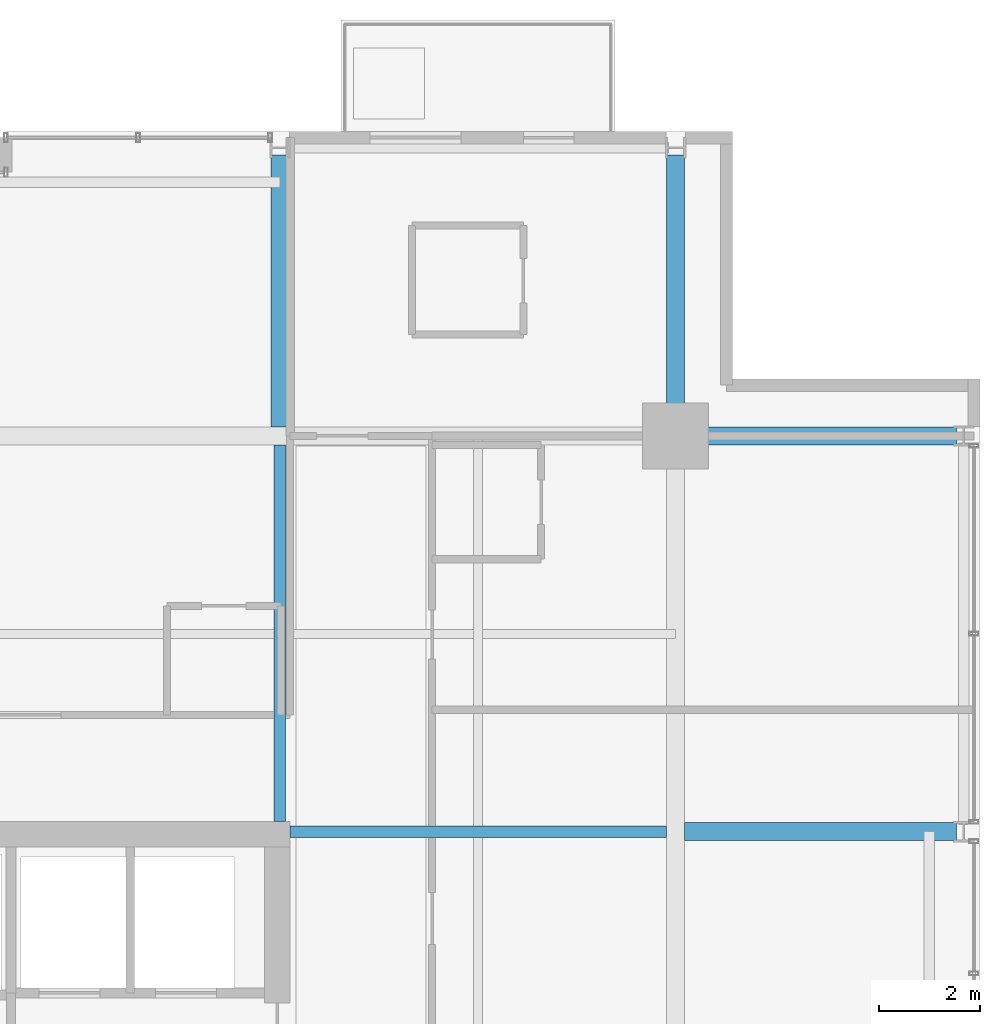
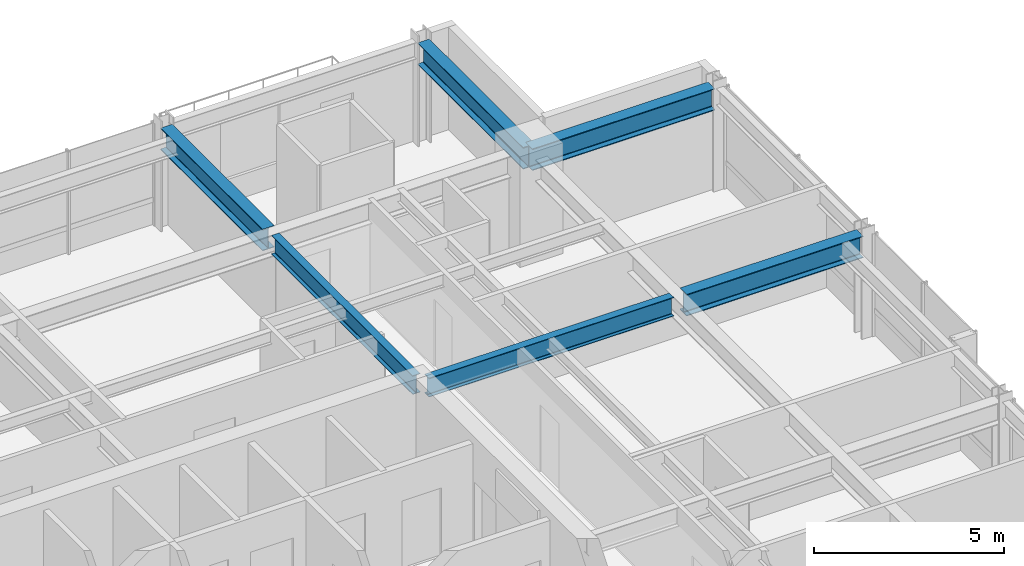
# One storey, part 23 of 33: 6 beams.
"""IFC4 building model written with IfcOpenShell, lengths in metres."""

from ifc_helpers import new_model, si_unit, direction, frame, origin, origin_2d, place, context, subcontext, project, spatial, i_section, extrude, material, material_profile, profile_set, type_object, element, save


model = new_model("IFC4")

# Units and contexts
model_context = context("Model", 3, precision=1e-05, world=origin(), true_north=direction((0.0, 1.0)))
body_context = subcontext(model_context, "Body", "Model", "MODEL_VIEW")
ifc_project = project(units=[si_unit("LENGTHUNIT", "METRE"), si_unit("AREAUNIT", "SQUARE_METRE"), si_unit("VOLUMEUNIT", "CUBIC_METRE"), si_unit("PLANEANGLEUNIT", "RADIAN"), si_unit("MASSUNIT", "GRAM", prefix="KILO")], contexts=[model_context])

# Site, building, storey
site_placement = place(None, origin())
site = spatial("IfcSite", under=ifc_project, at=site_placement, CompositionType="ELEMENT")
building_placement = place(site_placement, origin())
building = spatial("IfcBuilding", under=site, at=building_placement, Name="Drelvath Grand Hotel", CompositionType="ELEMENT")
storey_placement = place(building_placement, frame((0.0, 0.0, 178.800048828125)))
storey = spatial("IfcBuildingStorey", under=building, at=storey_placement, Name="L46", CompositionType="ELEMENT", Elevation=178.800048828125)

# Beams
ifc_material = material(Name="Steel ASTM A992 Gr 50", Category="steel")
ifc_material_profile_1 = material_profile(ifc_material, i_section(OverallWidth=0.228271484375, OverallDepth=0.607666015625, WebThickness=0.01123046875, FlangeThickness=0.017333984375, FilletRadius=0.02001953125, at=origin_2d()), Name="W24X76")
ifc_profile_set_1 = profile_set([ifc_material_profile_1], Name="Steel ASTM A992 Gr 50")
beam_type_1 = type_object("IfcBeamType", Name="Primary Floor Girder W24X76", PredefinedType="BEAM", material=ifc_profile_set_1)
for number, where, z_axis, x_axis, name in (
    (1, (8.60009765625, 35.39990234375, 2.986083984375), (1.0, 0.0, 0.0), (0.0, 1.0, 0.0), "L46 East Core Tie F"),
    (2, (8.39990234375, 35.60009765625, 2.986083984375), (0.0, 1.0, 0.0), (-1.0, 0.0, 0.0), "L46 North Core Tie 6"),
):
    element("IfcBeam", number, at=place(storey_placement, frame(where, z_axis=z_axis, x_axis=x_axis)), inside=storey, type_object=beam_type_1, Name=name, PredefinedType="BEAM", context=body_context, shape_type="SweptSolid", body=[
        extrude(i_section(OverallWidth=0.228271484375, OverallDepth=0.607666015625, WebThickness=0.01123046875, FlangeThickness=0.017333984375, FilletRadius=0.02001953125, at=origin_2d()), origin(), (0.0, 0.0, 1.0), 7.422607421875),
    ])
ifc_material_profile_2 = material_profile(ifc_material, i_section(OverallWidth=0.354736328125, OverallDepth=0.695556640625, WebThickness=0.015380859375, FlangeThickness=0.025146484375, FilletRadius=0.02392578125, at=origin_2d()), Name="W27X146")
ifc_profile_set_2 = profile_set([ifc_material_profile_2], Name="Steel ASTM A992 Gr 50")
beam_type_2 = type_object("IfcBeamType", Name="Primary Floor Girder W27X146", PredefinedType="BEAM", material=ifc_profile_set_2)
beam_1_placement = place(storey_placement, frame((16.199951171875, 43.199951171875, 2.942138671875), z_axis=(1.0, 0.0, 0.0), x_axis=(0.0, 1.0, 0.0)))
element("IfcBeam", 3, at=beam_1_placement, inside=storey, type_object=beam_type_2, Name="L46 East Grid Girder G", PredefinedType="BEAM", context=body_context, shape_type="SweptSolid", body=[
    extrude(i_section(OverallWidth=0.354736328125, OverallDepth=0.695556640625, WebThickness=0.015380859375, FlangeThickness=0.025146484375, FilletRadius=0.02392578125, at=origin_2d()), origin(), (0.0, 0.0, 1.0), 5.5400390625),
])
beam_2_placement = place(storey_placement, frame((16.37744140625, 35.39990234375, 2.942138671875), z_axis=(1.0, 0.0, 0.0), x_axis=(0.0, 1.0, 0.0)))
element("IfcBeam", 4, at=beam_2_placement, inside=storey, type_object=beam_type_2, Name="L46 East Wing Girder F", PredefinedType="BEAM", context=body_context, shape_type="SweptSolid", body=[
    extrude(i_section(OverallWidth=0.354736328125, OverallDepth=0.695556640625, WebThickness=0.015380859375, FlangeThickness=0.025146484375, FilletRadius=0.02392578125, at=origin_2d()), origin(), (0.0, 0.0, 1.0), 5.362548828125),
])
beam_3_placement = place(storey_placement, frame((16.199951171875, 43.199951171875, 2.942138671875), z_axis=(0.0, 1.0, 0.0), x_axis=(-1.0, 0.0, 0.0)))
element("IfcBeam", 5, at=beam_3_placement, inside=storey, type_object=beam_type_2, Name="L46 North Grid Girder 7", PredefinedType="BEAM", context=body_context, shape_type="SweptSolid", body=[
    extrude(i_section(OverallWidth=0.354736328125, OverallDepth=0.695556640625, WebThickness=0.015380859375, FlangeThickness=0.025146484375, FilletRadius=0.02392578125, at=origin_2d()), origin(), (0.0, 0.0, 1.0), 5.5400390625),
])
beam_4_placement = place(storey_placement, frame((8.39990234375, 43.37744140625, 2.942138671875), z_axis=(0.0, 1.0, 0.0), x_axis=(-1.0, 0.0, 0.0)))
element("IfcBeam", 6, at=beam_4_placement, inside=storey, type_object=beam_type_2, Name="L46 North Wing Girder 6", PredefinedType="BEAM", context=body_context, shape_type="SweptSolid", body=[
    extrude(i_section(OverallWidth=0.354736328125, OverallDepth=0.695556640625, WebThickness=0.015380859375, FlangeThickness=0.025146484375, FilletRadius=0.02392578125, at=origin_2d()), origin(), (0.0, 0.0, 1.0), 5.362548828125),
])

save(model, "model.ifc")
